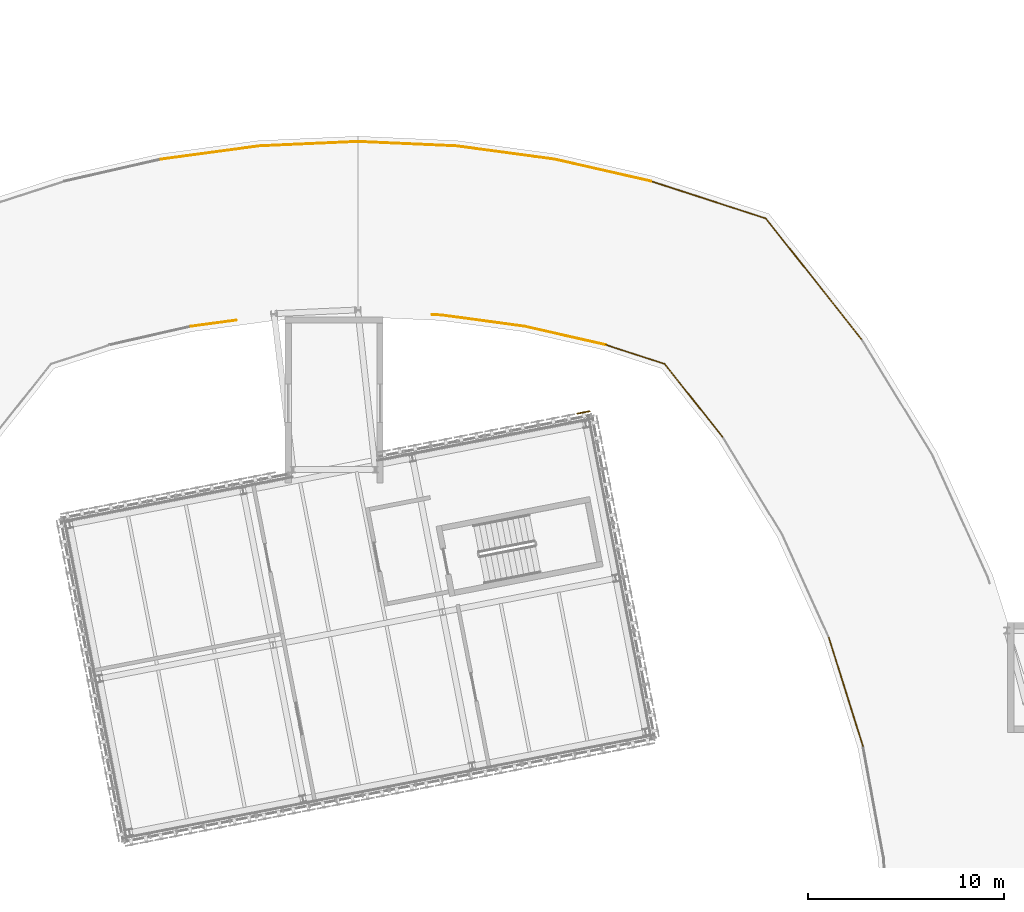
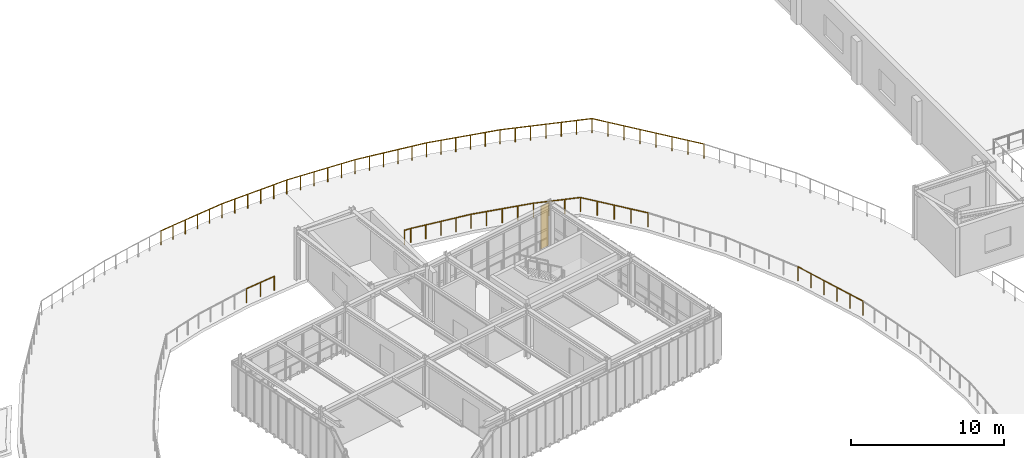
# One storey, part 57 of 59: 14 railings, 1 shading device.
"""IFC4 building model written with IfcOpenShell, lengths in metres."""

import ifcopenshell
import ifcopenshell.guid

model = None  # the IFC model being written
_history = None  # IfcOwnerHistory: only IFC2X3 demands one
_inside = {}  # id of a spatial element -> (the spatial element, [elements in it])
_under = {}  # id of a project, library or spatial element -> (it, [spatial elements below it])
_declared = {}  # id of a project -> (the project, [libraries it declares])
_typed = {}  # id of a type object -> (the type object, [elements of that type])
_made_of = {}  # id of a material, layer set ... -> (it, [elements and type objects made of it])


def new_model(schema):
    """Start an empty IFC model of exactly this schema.

    Asked for "IFC4X3", IfcOpenShell would pick the latest addendum, in which some entities
    have other attributes; the version numbers below select the first issue.
    IFC2X3 requires an IfcOwnerHistory on every rooted entity: one is made here for all.
    """
    global model, _history
    if schema == "IFC4X3":
        model = ifcopenshell.file(schema_version=(4, 3, 0, 0))
    else:
        model = ifcopenshell.file(schema=schema)
    _inside.clear()
    _under.clear()
    _declared.clear()
    _typed.clear()
    _made_of.clear()
    _history = None
    if model.schema == "IFC2X3":
        org = make("IfcOrganization", Name="unknown")
        user = make(
            "IfcPersonAndOrganization",
            ThePerson=make("IfcPerson", FamilyName="unknown"),
            TheOrganization=org,
        )
        app = make(
            "IfcApplication",
            ApplicationDeveloper=org,
            Version="unknown",
            ApplicationFullName="unknown",
            ApplicationIdentifier="unknown",
        )
        _history = make(
            "IfcOwnerHistory",
            OwningUser=user,
            OwningApplication=app,
            ChangeAction="ADDED",
            CreationDate=0,
        )
    return model


def make(cls, **values):
    """One entity of the class cls with the attributes given. An attribute that is None is left unset."""
    return model.create_entity(
        cls, **{name: value for name, value in values.items() if value is not None}
    )


def rooted(cls, **values):
    """An entity with a GlobalId (a new one), such as an element, a storey or a relation."""
    return make(cls, GlobalId=ifcopenshell.guid.new(), OwnerHistory=_history, **values)


def si_unit(unit_type, name, prefix=None):
    """IfcSIUnit, for example si_unit("LENGTHUNIT", "METRE", prefix="MILLI")."""
    return make("IfcSIUnit", UnitType=unit_type, Prefix=prefix, Name=name)


def assignment(units):
    """IfcUnitAssignment: the units of a project."""
    return None if units is None else make("IfcUnitAssignment", Units=units)


def point(xyz):
    """IfcCartesianPoint."""
    return None if xyz is None else make("IfcCartesianPoint", Coordinates=xyz)


def direction(xyz):
    """IfcDirection."""
    return None if xyz is None else make("IfcDirection", DirectionRatios=xyz)


def frame(location, z_axis=None, x_axis=None):
    """IfcAxis2Placement3D, a coordinate frame: its origin and axes. An axis left out is left unset."""
    return make(
        "IfcAxis2Placement3D",
        Location=point(location),
        Axis=direction(z_axis),
        RefDirection=direction(x_axis),
    )


def frame_2d(location, x_axis=None):
    """IfcAxis2Placement2D, a coordinate frame in the plane: its origin and x axis."""
    return make(
        "IfcAxis2Placement2D", Location=point(location), RefDirection=direction(x_axis)
    )


def origin():
    """The frame at (0, 0, 0) with its axes left unset."""
    return frame((0.0, 0.0, 0.0))


def origin_2d():
    """The frame at (0, 0) in the plane with its x axis left unset."""
    return frame_2d((0.0, 0.0))


def place(relative_to, where):
    """IfcLocalPlacement: puts the frame where relative to a parent placement (None: the world)."""
    return make(
        "IfcLocalPlacement", PlacementRelTo=relative_to, RelativePlacement=where
    )


def context(
    kind, dimensions, precision=None, world=None, true_north=None, identifier=None
):
    """IfcGeometricRepresentationContext, for example the 3D "Model" context."""
    return make(
        "IfcGeometricRepresentationContext",
        ContextIdentifier=identifier,
        ContextType=kind,
        CoordinateSpaceDimension=dimensions,
        Precision=precision,
        WorldCoordinateSystem=world,
        TrueNorth=true_north,
    )


def subcontext(parent, identifier, kind, view, scale=None):
    """IfcGeometricRepresentationSubContext, for example "Body" below "Model"."""
    return make(
        "IfcGeometricRepresentationSubContext",
        ContextIdentifier=identifier,
        ContextType=kind,
        ParentContext=parent,
        TargetScale=scale,
        TargetView=view,
    )


def project(units=None, contexts=None):
    """IfcProject with its units and contexts."""
    return rooted(
        "IfcProject",
        Name="project",
        RepresentationContexts=contexts,
        UnitsInContext=assignment(units),
    )


def spatial(cls, under=None, at=None, **own):
    """A site, building, storey or space (cls), placed at a placement, below another one or the project."""
    s = rooted(cls, ObjectPlacement=at, **own)
    if under is not None:
        _under.setdefault(under.id(), (under, []))[1].append(s)
    return s


def profile(cls, at=None, kind="AREA", **sizes):
    """A parametric profile (cls). Its sizes go by their IFC names, for example OverallWidth=200.0."""
    return make(cls, ProfileType=kind, Position=at, **sizes)


def rectangle(**sizes):
    """IfcRectangleProfileDef."""
    return profile("IfcRectangleProfileDef", **sizes)


def circle(**sizes):
    """IfcCircleProfileDef."""
    return profile("IfcCircleProfileDef", **sizes)


def extrude(swept, where, along, depth):
    """IfcExtrudedAreaSolid: the profile swept, set in the frame where, extruded along a direction by depth."""
    return make(
        "IfcExtrudedAreaSolid",
        SweptArea=swept,
        Position=where,
        ExtrudedDirection=direction(along),
        Depth=depth,
    )


def shape(context_of_items, identifier, shape_type, items):
    """IfcShapeRepresentation: the items that make up one representation, for example the "Body"."""
    return make(
        "IfcShapeRepresentation",
        ContextOfItems=context_of_items,
        RepresentationIdentifier=identifier,
        RepresentationType=shape_type,
        Items=items,
    )


def material(Name=None, Category=None):
    """IfcMaterial."""
    return make("IfcMaterial", Name=Name, Category=Category)


def layer(
    of_material, thickness, ventilated=None, Name=None, Category=None, Priority=None
):
    """IfcMaterialLayer: one layer of a wall or slab, of a material (None: an air gap)."""
    return make(
        "IfcMaterialLayer",
        Material=of_material,
        LayerThickness=thickness,
        IsVentilated=ventilated,
        Name=Name,
        Category=Category,
        Priority=Priority,
    )


def layer_set(layers, Name=None):
    """IfcMaterialLayerSet."""
    return make("IfcMaterialLayerSet", MaterialLayers=layers, LayerSetName=Name)


def made_of(thing, what):
    """Note that an element or type object is made of a material, layer set ...; save() writes the relation."""
    if what is not None:
        _made_of.setdefault(what.id(), (what, []))[1].append(thing)
    return thing


def type_object(cls, material=None, **own):
    """A type object (cls), such as IfcWallType, which elements share."""
    return made_of(rooted(cls, **own), material)


def element(
    cls,
    number,
    at=None,
    inside=None,
    cuts=None,
    type_object=None,
    material=None,
    context=None,
    identifier="Body",
    shape_type=None,
    held_by="IfcProductDefinitionShape",
    body=None,
    shapes=None,
    **own,
):
    """One element of the class cls, such as IfcWall. Its Tag is "e" and its number.

    at: its placement. inside: the storey or other place that contains it. cuts: it is an
    opening in that element (IfcRelVoidsElement). A single representation is given by context,
    identifier, shape_type and body (its items); several are given by shapes. held_by: the class
    of the entity that holds the representations. save() writes the other relations.
    """
    e = rooted(cls, Tag="e%d" % number, ObjectPlacement=at, **own)
    if body is not None:
        shapes = [shape(context, identifier, shape_type, body)]
    if shapes is not None:
        e.Representation = make(held_by, Representations=shapes)
    if inside is not None:
        _inside.setdefault(inside.id(), (inside, []))[1].append(e)
    if cuts is not None:
        rooted(
            "IfcRelVoidsElement", RelatingBuildingElement=cuts, RelatedOpeningElement=e
        )
    if type_object is not None:
        _typed.setdefault(type_object.id(), (type_object, []))[1].append(e)
    return made_of(e, material)


def aggregate(whole, parts):
    """IfcRelAggregates: a whole, such as a stair, and the parts it consists of."""
    return rooted("IfcRelAggregates", RelatingObject=whole, RelatedObjects=parts)


def save(model, path):
    """Write the relations noted so far, then the file.

    IfcRelAggregates (storeys below a building ...), IfcRelContainedInSpatialStructure (elements
    in a storey), IfcRelDefinesByType, IfcRelAssociatesMaterial and IfcRelDeclares: one each for
    every whole, place, type object, material and project.
    """
    for whole, parts in _under.values():
        aggregate(whole, parts)
    for where, things in _inside.values():
        rooted(
            "IfcRelContainedInSpatialStructure",
            RelatedElements=things,
            RelatingStructure=where,
        )
    for kind, things in _typed.values():
        rooted("IfcRelDefinesByType", RelatedObjects=things, RelatingType=kind)
    for what, things in _made_of.values():
        rooted("IfcRelAssociatesMaterial", RelatedObjects=things, RelatingMaterial=what)
    for by, libraries in _declared.values():
        rooted("IfcRelDeclares", RelatingContext=by, RelatedDefinitions=libraries)
    model.write(path)


model = new_model("IFC4")

# Units and contexts
model_context = context("Model", 3, precision=1e-05, world=origin(), true_north=direction((0.0, 1.0)))
body_context = subcontext(model_context, "Body", "Model", "MODEL_VIEW")
ifc_project = project(units=[si_unit("LENGTHUNIT", "METRE"), si_unit("AREAUNIT", "SQUARE_METRE"), si_unit("VOLUMEUNIT", "CUBIC_METRE"), si_unit("PLANEANGLEUNIT", "RADIAN"), si_unit("MASSUNIT", "GRAM", prefix="KILO")], contexts=[model_context])

# Site, building, storey
site_placement = place(None, origin())
site = spatial("IfcSite", under=ifc_project, at=site_placement, CompositionType="ELEMENT")
building_placement = place(site_placement, origin())
building = spatial("IfcBuilding", under=site, at=building_placement, Name="Varnklinge Art Gallery", CompositionType="ELEMENT")
storey_placement = place(building_placement, frame((0.0, 0.0, 9.52001953125)))
storey = spatial("IfcBuildingStorey", under=building, at=storey_placement, Name="L02", CompositionType="ELEMENT", Elevation=9.52001953125)

# Railings
ifc_material_1 = material(Name="Steel S355", Category="steel")
railing_type = type_object("IfcRailingType", Name="GR-EXT", PredefinedType="GUARDRAIL", material=ifc_material_1)
railing_1_placement = place(storey_placement, frame((101.261474609375, 66.494384765625, 0.0)))
element("IfcRailing", 1, at=railing_1_placement, inside=storey, type_object=railing_type, Name="L02 Roof Sculpture Garden Guardrail I09.1", PredefinedType="GUARDRAIL", context=body_context, shape_type="SweptSolid", body=[
    extrude(circle(Radius=0.02392578125, at=origin_2d()), frame((0.0, 0.0, 1.1259765625), z_axis=(-0.299753269559, 0.954016759491, 0.0), x_axis=(-0.954016759491, -0.299753269559, 0.0)), (0.0, 0.0, 1.0), 5.80078125),
    extrude(circle(Radius=0.02099609375, at=origin_2d()), origin(), (0.0, 0.0, 1.0), 1.101806640625),
    extrude(circle(Radius=0.02099609375, at=origin_2d()), frame((-0.34765625, 1.106689453125, 0.0)), (0.0, 0.0, 1.0), 1.101806640625),
    extrude(circle(Radius=0.02099609375, at=origin_2d()), frame((-0.695556640625, 2.213623046875, 0.0)), (0.0, 0.0, 1.0), 1.101806640625),
    extrude(circle(Radius=0.02099609375, at=origin_2d()), frame((-1.043212890625, 3.3203125, 0.0)), (0.0, 0.0, 1.0), 1.101806640625),
    extrude(circle(Radius=0.02099609375, at=origin_2d()), frame((-1.39111328125, 4.42724609375, 0.0)), (0.0, 0.0, 1.0), 1.101806640625),
    extrude(circle(Radius=0.02099609375, at=origin_2d()), frame((-1.73876953125, 5.533935546875, 0.0)), (0.0, 0.0, 1.0), 1.101806640625),
])
railing_2_placement = place(storey_placement, frame((101.210205078125, 87.216796875, 0.0)))
element("IfcRailing", 2, at=railing_2_placement, inside=storey, type_object=railing_type, Name="L02 Roof Sculpture Garden Guardrail O12.1", PredefinedType="GUARDRAIL", context=body_context, shape_type="SweptSolid", body=[
    extrude(circle(Radius=0.02392578125, at=origin_2d()), frame((0.0, 0.0, 1.1259765625), z_axis=(-0.620763892495, 0.783997570006, 0.0), x_axis=(-0.783997570006, -0.620763892495, 0.0)), (0.0, 0.0, 1.0), 7.900146484375),
    extrude(circle(Radius=0.02099609375, at=origin_2d()), origin(), (0.0, 0.0, 1.0), 1.101806640625),
    extrude(circle(Radius=0.02099609375, at=origin_2d()), frame((-0.70068359375, 0.884765625, 0.0)), (0.0, 0.0, 1.0), 1.101806640625),
    extrude(circle(Radius=0.02099609375, at=origin_2d()), frame((-1.401123046875, 1.76953125, 0.0)), (0.0, 0.0, 1.0), 1.101806640625),
    extrude(circle(Radius=0.02099609375, at=origin_2d()), frame((-2.101806640625, 2.654296875, 0.0)), (0.0, 0.0, 1.0), 1.101806640625),
    extrude(circle(Radius=0.02099609375, at=origin_2d()), frame((-2.80224609375, 3.539306640625, 0.0)), (0.0, 0.0, 1.0), 1.101806640625),
    extrude(circle(Radius=0.02099609375, at=origin_2d()), frame((-3.5029296875, 4.424072265625, 0.0)), (0.0, 0.0, 1.0), 1.101806640625),
    extrude(circle(Radius=0.02099609375, at=origin_2d()), frame((-4.203369140625, 5.308837890625, 0.0)), (0.0, 0.0, 1.0), 1.101806640625),
    extrude(circle(Radius=0.02099609375, at=origin_2d()), frame((-4.904052734375, 6.193603515625, 0.0)), (0.0, 0.0, 1.0), 1.101806640625),
])
railing_3_placement = place(storey_placement, frame((94.102783203125, 82.26171875, 0.0)))
element("IfcRailing", 3, at=railing_3_placement, inside=storey, type_object=railing_type, Name="L02 Roof Sculpture Garden Guardrail I12.1", PredefinedType="GUARDRAIL", context=body_context, shape_type="SweptSolid", body=[
    extrude(circle(Radius=0.02392578125, at=origin_2d()), frame((0.0, 0.0, 1.1259765625), z_axis=(-0.620762109021, 0.783998982145, 0.0), x_axis=(-0.783998982145, -0.620762109021, 0.0)), (0.0, 0.0, 1.0), 4.756103515625),
    extrude(circle(Radius=0.02099609375, at=origin_2d()), origin(), (0.0, 0.0, 1.0), 1.101806640625),
    extrude(circle(Radius=0.02099609375, at=origin_2d()), frame((-0.738037109375, 0.93212890625, 0.0)), (0.0, 0.0, 1.0), 1.101806640625),
    extrude(circle(Radius=0.02099609375, at=origin_2d()), frame((-1.47607421875, 1.8642578125, 0.0)), (0.0, 0.0, 1.0), 1.101806640625),
    extrude(circle(Radius=0.02099609375, at=origin_2d()), frame((-2.21435546875, 2.796630859375, 0.0)), (0.0, 0.0, 1.0), 1.101806640625),
    extrude(circle(Radius=0.02099609375, at=origin_2d()), frame((-2.952392578125, 3.728759765625, 0.0)), (0.0, 0.0, 1.0), 1.101806640625),
])
railing_4_placement = place(storey_placement, frame((96.30615234375, 93.410400390625, 0.0)))
element("IfcRailing", 4, at=railing_4_placement, inside=storey, type_object=railing_type, Name="L02 Roof Sculpture Garden Guardrail O13.1", PredefinedType="GUARDRAIL", context=body_context, shape_type="SweptSolid", body=[
    extrude(circle(Radius=0.02392578125, at=origin_2d()), frame((0.0, 0.0, 1.1259765625), z_axis=(-0.951298900476, 0.308270014685, 0.0), x_axis=(-0.308270014685, -0.951298900476, 0.0)), (0.0, 0.0, 1.0), 6.15673828125),
    extrude(circle(Radius=0.02099609375, at=origin_2d()), origin(), (0.0, 0.0, 1.0), 1.101806640625),
    extrude(circle(Radius=0.02099609375, at=origin_2d()), frame((-0.97607421875, 0.31640625, 0.0)), (0.0, 0.0, 1.0), 1.101806640625),
    extrude(circle(Radius=0.02099609375, at=origin_2d()), frame((-1.952392578125, 0.632568359375, 0.0)), (0.0, 0.0, 1.0), 1.101806640625),
    extrude(circle(Radius=0.02099609375, at=origin_2d()), frame((-2.928466796875, 0.948974609375, 0.0)), (0.0, 0.0, 1.0), 1.101806640625),
    extrude(circle(Radius=0.02099609375, at=origin_2d()), frame((-3.904541015625, 1.265380859375, 0.0)), (0.0, 0.0, 1.0), 1.101806640625),
    extrude(circle(Radius=0.02099609375, at=origin_2d()), frame((-4.880859375, 1.58154296875, 0.0)), (0.0, 0.0, 1.0), 1.101806640625),
    extrude(circle(Radius=0.02099609375, at=origin_2d()), frame((-5.85693359375, 1.89794921875, 0.0)), (0.0, 0.0, 1.0), 1.101806640625),
])
railing_5_placement = place(storey_placement, frame((91.150390625, 85.990478515625, 0.0)))
element("IfcRailing", 5, at=railing_5_placement, inside=storey, type_object=railing_type, Name="L02 Roof Sculpture Garden Guardrail I13.1", PredefinedType="GUARDRAIL", context=body_context, shape_type="SweptSolid", body=[
    extrude(circle(Radius=0.02392578125, at=origin_2d()), frame((0.0, 0.0, 1.1259765625), z_axis=(-0.951298964859, 0.308269816002, 0.0), x_axis=(-0.308269816002, -0.951298964859, 0.0)), (0.0, 0.0, 1.0), 3.152099609375),
    extrude(circle(Radius=0.02099609375, at=origin_2d()), origin(), (0.0, 0.0, 1.0), 1.101806640625),
    extrude(circle(Radius=0.02099609375, at=origin_2d()), frame((-0.99951171875, 0.323974609375, 0.0)), (0.0, 0.0, 1.0), 1.101806640625),
    extrude(circle(Radius=0.02099609375, at=origin_2d()), frame((-1.9990234375, 0.647705078125, 0.0)), (0.0, 0.0, 1.0), 1.101806640625),
    extrude(circle(Radius=0.02099609375, at=origin_2d()), frame((-2.99853515625, 0.9716796875, 0.0)), (0.0, 0.0, 1.0), 1.101806640625),
])
railing_6_placement = place(storey_placement, frame((90.44921875, 95.308349609375, 0.0)))
element("IfcRailing", 6, at=railing_6_placement, inside=storey, type_object=railing_type, Name="L02 Roof Sculpture Garden Guardrail O14.1", PredefinedType="GUARDRAIL", context=body_context, shape_type="SweptSolid", body=[
    extrude(circle(Radius=0.02392578125, at=origin_2d()), frame((0.0, 0.0, 1.1259765625), z_axis=(-0.975052879575, 0.221972705601, 0.0), x_axis=(-0.221972705601, -0.975052879575, 0.0)), (0.0, 0.0, 1.0), 5.041748046875),
    extrude(circle(Radius=0.02099609375, at=origin_2d()), origin(), (0.0, 0.0, 1.0), 1.101806640625),
    extrude(circle(Radius=0.02099609375, at=origin_2d()), frame((-0.983154296875, 0.223876953125, 0.0)), (0.0, 0.0, 1.0), 1.101806640625),
    extrude(circle(Radius=0.02099609375, at=origin_2d()), frame((-1.96630859375, 0.44775390625, 0.0)), (0.0, 0.0, 1.0), 1.101806640625),
    extrude(circle(Radius=0.02099609375, at=origin_2d()), frame((-2.94970703125, 0.67138671875, 0.0)), (0.0, 0.0, 1.0), 1.101806640625),
    extrude(circle(Radius=0.02099609375, at=origin_2d()), frame((-3.932861328125, 0.895263671875, 0.0)), (0.0, 0.0, 1.0), 1.101806640625),
    extrude(circle(Radius=0.02099609375, at=origin_2d()), frame((-4.916015625, 1.119140625, 0.0)), (0.0, 0.0, 1.0), 1.101806640625),
])
railing_7_placement = place(storey_placement, frame((88.15185546875, 86.962158203125, 0.0)))
element("IfcRailing", 7, at=railing_7_placement, inside=storey, type_object=railing_type, Name="L02 Roof Sculpture Garden Guardrail I14.1", PredefinedType="GUARDRAIL", context=body_context, shape_type="SweptSolid", body=[
    extrude(circle(Radius=0.02392578125, at=origin_2d()), frame((0.0, 0.0, 1.1259765625), z_axis=(-0.975060863932, 0.221937630043, 0.0), x_axis=(-0.221937630043, -0.975060863932, 0.0)), (0.0, 0.0, 1.0), 4.26708984375),
    extrude(circle(Radius=0.02099609375, at=origin_2d()), origin(), (0.0, 0.0, 1.0), 1.101806640625),
    extrude(circle(Radius=0.02099609375, at=origin_2d()), frame((-1.0400390625, 0.23681640625, 0.0)), (0.0, 0.0, 1.0), 1.101806640625),
    extrude(circle(Radius=0.02099609375, at=origin_2d()), frame((-2.080322265625, 0.4736328125, 0.0)), (0.0, 0.0, 1.0), 1.101806640625),
    extrude(circle(Radius=0.02099609375, at=origin_2d()), frame((-3.12060546875, 0.710205078125, 0.0)), (0.0, 0.0, 1.0), 1.101806640625),
    extrude(circle(Radius=0.02099609375, at=origin_2d()), frame((-4.16064453125, 0.947021484375, 0.0)), (0.0, 0.0, 1.0), 1.101806640625),
])
railing_8_placement = place(storey_placement, frame((85.533203125, 96.427490234375, 0.0)))
element("IfcRailing", 8, at=railing_8_placement, inside=storey, type_object=railing_type, Name="L02 Roof Sculpture Garden Guardrail O15.1", PredefinedType="GUARDRAIL", context=body_context, shape_type="SweptSolid", body=[
    extrude(circle(Radius=0.02392578125, at=origin_2d()), frame((0.0, 0.0, 1.1259765625), z_axis=(-0.990989477509, 0.133939745653, 0.0), x_axis=(-0.133939745653, -0.990989477509, 0.0)), (0.0, 0.0, 1.0), 5.041748046875),
    extrude(circle(Radius=0.02099609375, at=origin_2d()), origin(), (0.0, 0.0, 1.0), 1.101806640625),
    extrude(circle(Radius=0.02099609375, at=origin_2d()), frame((-0.999267578125, 0.135009765625, 0.0)), (0.0, 0.0, 1.0), 1.101806640625),
    extrude(circle(Radius=0.02099609375, at=origin_2d()), frame((-1.99853515625, 0.27001953125, 0.0)), (0.0, 0.0, 1.0), 1.101806640625),
    extrude(circle(Radius=0.02099609375, at=origin_2d()), frame((-2.997802734375, 0.4052734375, 0.0)), (0.0, 0.0, 1.0), 1.101806640625),
    extrude(circle(Radius=0.02099609375, at=origin_2d()), frame((-3.9970703125, 0.540283203125, 0.0)), (0.0, 0.0, 1.0), 1.101806640625),
    extrude(circle(Radius=0.02099609375, at=origin_2d()), frame((-4.996337890625, 0.67529296875, 0.0)), (0.0, 0.0, 1.0), 1.101806640625),
])
railing_9_placement = place(storey_placement, frame((83.9912109375, 87.9091796875, 0.0)))
element("IfcRailing", 9, at=railing_9_placement, inside=storey, type_object=railing_type, Name="L02 Roof Sculpture Garden Guardrail I15.1", PredefinedType="GUARDRAIL", context=body_context, shape_type="SweptSolid", body=[
    extrude(circle(Radius=0.02392578125, at=origin_2d()), frame((0.0, 0.0, 1.1259765625), z_axis=(-0.990988941266, 0.133943713135, 0.0), x_axis=(-0.133943713135, -0.990988941266, 0.0)), (0.0, 0.0, 1.0), 4.266845703125),
    extrude(circle(Radius=0.02099609375, at=origin_2d()), origin(), (0.0, 0.0, 1.0), 1.101806640625),
    extrude(circle(Radius=0.02099609375, at=origin_2d()), frame((-1.05712890625, 0.142822265625, 0.0)), (0.0, 0.0, 1.0), 1.101806640625),
    extrude(circle(Radius=0.02099609375, at=origin_2d()), frame((-2.1142578125, 0.28564453125, 0.0)), (0.0, 0.0, 1.0), 1.101806640625),
    extrude(circle(Radius=0.02099609375, at=origin_2d()), frame((-3.17138671875, 0.4287109375, 0.0)), (0.0, 0.0, 1.0), 1.101806640625),
    extrude(circle(Radius=0.02099609375, at=origin_2d()), frame((-4.228515625, 0.571533203125, 0.0)), (0.0, 0.0, 1.0), 1.101806640625),
])
railing_10_placement = place(storey_placement, frame((80.536865234375, 97.102783203125, 0.0)))
element("IfcRailing", 10, at=railing_10_placement, inside=storey, type_object=railing_type, Name="L02 Roof Sculpture Garden Guardrail O16.1", PredefinedType="GUARDRAIL", context=body_context, shape_type="SweptSolid", body=[
    extrude(circle(Radius=0.02392578125, at=origin_2d()), frame((0.0, 0.0, 1.1259765625), z_axis=(-0.998998569916, 0.044742120043, 0.0), x_axis=(-0.044742120043, -0.998998569916, 0.0)), (0.0, 0.0, 1.0), 5.0419921875),
    extrude(circle(Radius=0.02099609375, at=origin_2d()), origin(), (0.0, 0.0, 1.0), 1.101806640625),
    extrude(circle(Radius=0.02099609375, at=origin_2d()), frame((-1.00732421875, 0.045166015625, 0.0)), (0.0, 0.0, 1.0), 1.101806640625),
    extrude(circle(Radius=0.02099609375, at=origin_2d()), frame((-2.0146484375, 0.09033203125, 0.0)), (0.0, 0.0, 1.0), 1.101806640625),
    extrude(circle(Radius=0.02099609375, at=origin_2d()), frame((-3.022216796875, 0.13525390625, 0.0)), (0.0, 0.0, 1.0), 1.101806640625),
    extrude(circle(Radius=0.02099609375, at=origin_2d()), frame((-4.029541015625, 0.180419921875, 0.0)), (0.0, 0.0, 1.0), 1.101806640625),
    extrude(circle(Radius=0.02099609375, at=origin_2d()), frame((-5.036865234375, 0.2255859375, 0.0)), (0.0, 0.0, 1.0), 1.101806640625),
])
railing_11_placement = place(storey_placement, frame((79.7626953125, 88.480712890625, 0.0)))
element("IfcRailing", 11, at=railing_11_placement, inside=storey, type_object=railing_type, Name="L02 Roof Sculpture Garden Guardrail I16.1", PredefinedType="GUARDRAIL", context=body_context, shape_type="SweptSolid", body=[
    extrude(circle(Radius=0.02392578125, at=origin_2d()), frame((0.0, 0.0, 1.1259765625), z_axis=(-0.998995535267, 0.04480982612, 0.0), x_axis=(-0.04480982612, -0.998995535267, 0.0)), (0.0, 0.0, 1.0), 0.463134765625),
    extrude(circle(Radius=0.02099609375, at=origin_2d()), origin(), (0.0, 0.0, 1.0), 1.101806640625),
    extrude(circle(Radius=0.02099609375, at=origin_2d()), frame((-0.462646484375, 0.020751953125, 0.0)), (0.0, 0.0, 1.0), 1.101806640625),
])
railing_12_placement = place(storey_placement, frame((75.5, 97.328369140625, 0.0)))
element("IfcRailing", 12, at=railing_12_placement, inside=storey, type_object=railing_type, Name="L02 Roof Sculpture Garden Guardrail O17.1", PredefinedType="GUARDRAIL", context=body_context, shape_type="SweptSolid", body=[
    extrude(circle(Radius=0.02392578125, at=origin_2d()), frame((0.0, 0.0, 1.1259765625), z_axis=(-0.998998569916, -0.044742120043, 0.0), x_axis=(0.044742120043, -0.998998569916, 0.0)), (0.0, 0.0, 1.0), 5.0419921875),
    extrude(circle(Radius=0.02099609375, at=origin_2d()), origin(), (0.0, 0.0, 1.0), 1.101806640625),
    extrude(circle(Radius=0.02099609375, at=origin_2d()), frame((-1.00732421875, -0.045166015625, 0.0)), (0.0, 0.0, 1.0), 1.101806640625),
    extrude(circle(Radius=0.02099609375, at=origin_2d()), frame((-2.0146484375, -0.09033203125, 0.0)), (0.0, 0.0, 1.0), 1.101806640625),
    extrude(circle(Radius=0.02099609375, at=origin_2d()), frame((-3.022216796875, -0.13525390625, 0.0)), (0.0, 0.0, 1.0), 1.101806640625),
    extrude(circle(Radius=0.02099609375, at=origin_2d()), frame((-4.029541015625, -0.180419921875, 0.0)), (0.0, 0.0, 1.0), 1.101806640625),
    extrude(circle(Radius=0.02099609375, at=origin_2d()), frame((-5.036865234375, -0.2255859375, 0.0)), (0.0, 0.0, 1.0), 1.101806640625),
])
railing_13_placement = place(storey_placement, frame((70.463134765625, 97.102783203125, 0.0)))
element("IfcRailing", 13, at=railing_13_placement, inside=storey, type_object=railing_type, Name="L02 Roof Sculpture Garden Guardrail O18.1", PredefinedType="GUARDRAIL", context=body_context, shape_type="SweptSolid", body=[
    extrude(circle(Radius=0.02392578125, at=origin_2d()), frame((0.0, 0.0, 1.1259765625), z_axis=(-0.990989477509, -0.133939745653, 0.0), x_axis=(0.133939745653, -0.990989477509, 0.0)), (0.0, 0.0, 1.0), 5.041748046875),
    extrude(circle(Radius=0.02099609375, at=origin_2d()), origin(), (0.0, 0.0, 1.0), 1.101806640625),
    extrude(circle(Radius=0.02099609375, at=origin_2d()), frame((-0.999267578125, -0.135009765625, 0.0)), (0.0, 0.0, 1.0), 1.101806640625),
    extrude(circle(Radius=0.02099609375, at=origin_2d()), frame((-1.99853515625, -0.27001953125, 0.0)), (0.0, 0.0, 1.0), 1.101806640625),
    extrude(circle(Radius=0.02099609375, at=origin_2d()), frame((-2.997802734375, -0.4052734375, 0.0)), (0.0, 0.0, 1.0), 1.101806640625),
    extrude(circle(Radius=0.02099609375, at=origin_2d()), frame((-3.9970703125, -0.540283203125, 0.0)), (0.0, 0.0, 1.0), 1.101806640625),
    extrude(circle(Radius=0.02099609375, at=origin_2d()), frame((-4.996337890625, -0.67529296875, 0.0)), (0.0, 0.0, 1.0), 1.101806640625),
])
railing_14_placement = place(storey_placement, frame((69.300048828125, 88.218994140625, 0.0)))
element("IfcRailing", 14, at=railing_14_placement, inside=storey, type_object=railing_type, Name="L02 Roof Sculpture Garden Guardrail I18.1", PredefinedType="GUARDRAIL", context=body_context, shape_type="SweptSolid", body=[
    extrude(circle(Radius=0.02392578125, at=origin_2d()), frame((0.0, 0.0, 1.1259765625), z_axis=(-0.990981822645, -0.133996370052, 0.0), x_axis=(0.133996370052, -0.990981822645, 0.0)), (0.0, 0.0, 1.0), 2.31201171875),
    extrude(circle(Radius=0.02099609375, at=origin_2d()), origin(), (0.0, 0.0, 1.0), 1.101806640625),
    extrude(circle(Radius=0.02099609375, at=origin_2d()), frame((-1.1455078125, -0.15478515625, 0.0)), (0.0, 0.0, 1.0), 1.101806640625),
    extrude(circle(Radius=0.02099609375, at=origin_2d()), frame((-2.291259765625, -0.309814453125, 0.0)), (0.0, 0.0, 1.0), 1.101806640625),
])

# Shading device
ifc_material_2 = material(Name="Perforated Aluminium-Precast Lattice", Category="concrete")
ifc_layer = layer(ifc_material_2, 0.06005859375)
ifc_layer_set = layer_set([ifc_layer], Name="Perforated Aluminium-Precast Lattice")
shading_device_type = type_object("IfcShadingDeviceType", Name="SHD-LAT", PredefinedType="USERDEFINED", material=ifc_layer_set)
shading_device_placement = place(storey_placement, frame((87.01025390625, 83.5185546875, 0.10009765625), z_axis=(0.0, 0.0, 1.0), x_axis=(-0.981627183448, -0.190808995377, 0.0)))
element("IfcShadingDevice", 15, at=shading_device_placement, inside=storey, type_object=shading_device_type, Name="L02 Perforated Lattice Screen 3.1.1", ObjectType="LATTICE SCREEN", PredefinedType="USERDEFINED", context=body_context, shape_type="SweptSolid", body=[
    extrude(rectangle(XDim=0.679931640625, YDim=0.06005859375, at=origin_2d()), origin(), (0.0, 0.0, 1.0), 3.409912109375),
])

save(model, "model.ifc")
